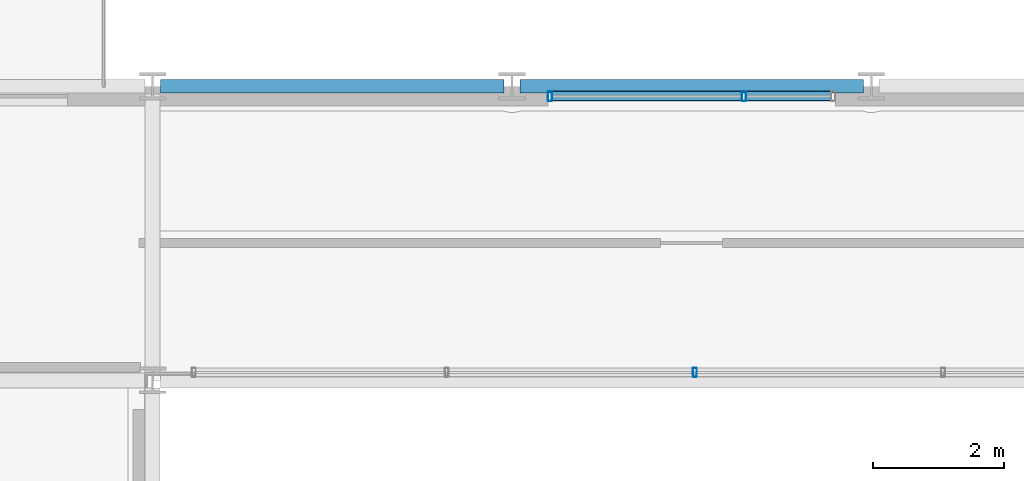
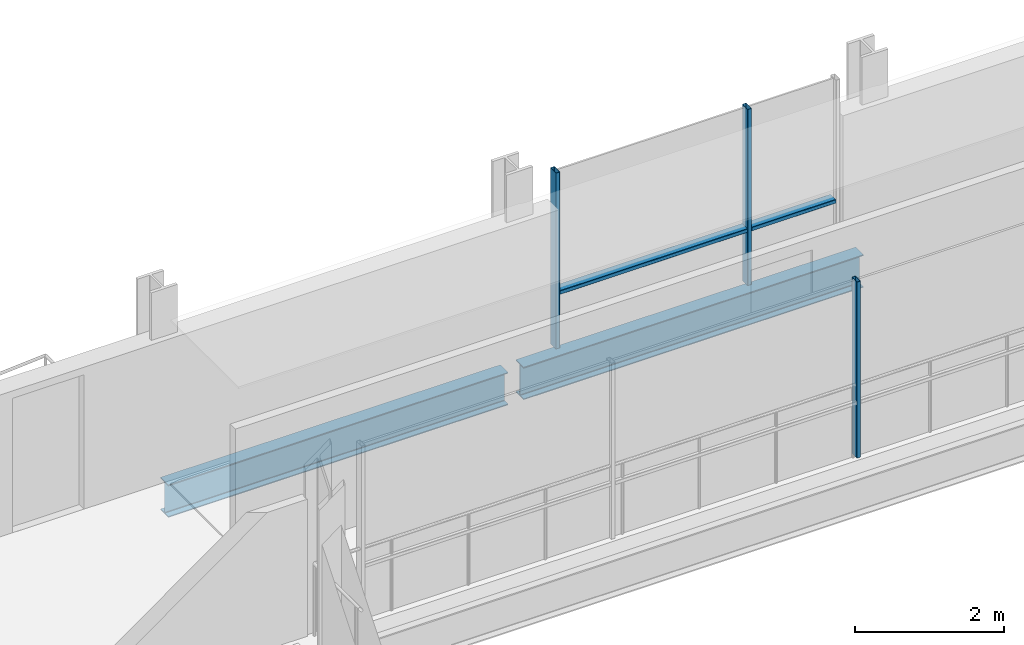
# One storey, part 13 of 38: 5 members, 2 beams, 2 elements without a shape of their own.
"""IFC4 building model written with IfcOpenShell, lengths in metres."""

from ifc_helpers import new_model, si_unit, direction, frame, origin, origin_2d, place, context, subcontext, project, spatial, hollow_rectangle, i_section, extrude, material, layer, layer_set, material_profile, profile_set, type_object, element, aggregate, save


model = new_model("IFC4")

# Units and contexts
model_context = context("Model", 3, precision=1e-05, world=origin(), true_north=direction((0.0, 1.0)))
body_context = subcontext(model_context, "Body", "Model", "MODEL_VIEW")
ifc_project = project(units=[si_unit("LENGTHUNIT", "METRE"), si_unit("AREAUNIT", "SQUARE_METRE"), si_unit("VOLUMEUNIT", "CUBIC_METRE"), si_unit("PLANEANGLEUNIT", "RADIAN"), si_unit("MASSUNIT", "GRAM", prefix="KILO")], contexts=[model_context])

# Site, building, storey
site_placement = place(None, origin())
site = spatial("IfcSite", under=ifc_project, at=site_placement, CompositionType="ELEMENT")
building_placement = place(site_placement, origin())
building = spatial("IfcBuilding", under=site, at=building_placement, Name="Brevholm Reach", CompositionType="ELEMENT")
storey_placement = place(building_placement, frame((0.0, 0.0, 141.800048828125)))
storey = spatial("IfcBuildingStorey", under=building, at=storey_placement, Name="L42", CompositionType="ELEMENT", Elevation=141.800048828125)

# Beams
ifc_material_1 = material(Name="Structural Steel S355J2", Category="steel")
ifc_material_profile_1 = material_profile(ifc_material_1, i_section(OverallWidth=0.209228515625, OverallDepth=0.533203125, WebThickness=0.010009765625, FlangeThickness=0.015625, FilletRadius=0.0126953125, at=origin_2d()), Name="UKB 533x210x92")
ifc_profile_set_1 = profile_set([ifc_material_profile_1], Name="Structural Steel S355J2")
beam_type = type_object("IfcBeamType", Name="BM-SP533", PredefinedType="SPANDREL", material=ifc_profile_set_1)
for number, where, z_axis, x_axis, name in (
    (1, (21.8701171875, 31.0, -0.486572265625), (1.0, 0.0, 0.0), (0.0, 1.0, 0.0), "L42 SP-02 Framing Beam"),
    (2, (27.3701171875, 31.0, -0.486572265625), (1.0, 0.0, 0.0), (0.0, 1.0, 0.0), "L42 SP-02 Framing Beam"),
):
    element("IfcBeam", number, at=place(storey_placement, frame(where, z_axis=z_axis, x_axis=x_axis)), inside=storey, type_object=beam_type, Name=name, PredefinedType="SPANDREL", context=body_context, shape_type="SweptSolid", body=[
        extrude(i_section(OverallWidth=0.209228515625, OverallDepth=0.533203125, WebThickness=0.010009765625, FlangeThickness=0.015625, FilletRadius=0.0126953125, at=origin_2d()), origin(), (0.0, 0.0, 1.0), 5.259765625),
    ])

# Curtain wall, member
ifc_material_2 = material(Name="Dark Anodised Aluminium 6063-T6 and Solar-Control Glass", Category="aluminium")
ifc_layer_1 = layer(ifc_material_2, 0.139892578125)
ifc_layer_set_1 = layer_set([ifc_layer_1], Name="Dark Anodised Aluminium 6063-T6 and Solar-Control Glass")
curtain_wall_type_1 = type_object("IfcCurtainWallType", Name="CW-02", PredefinedType="NOTDEFINED", material=ifc_layer_set_1)
curtain_wall_1_placement = place(storey_placement, origin())
curtain_wall_1 = element("IfcCurtainWall", 3, at=curtain_wall_1_placement, inside=storey, type_object=curtain_wall_type_1, Name="L42 Curtain Wall CW-02", PredefinedType="NOTDEFINED")
ifc_material_3 = material(Name="Dark Anodised Aluminium 6063-T6", Category="aluminium")
ifc_material_profile_2 = material_profile(ifc_material_3, hollow_rectangle(XDim=0.06005859375, YDim=0.139892578125, WallThickness=0.0048828125, InnerFilletRadius=0.0048828125, OuterFilletRadius=0.010009765625, at=origin_2d()), Name="RHS 140x60x5")
ifc_profile_set_2 = profile_set([ifc_material_profile_2], Name="Dark Anodised Aluminium 6063-T6")
member_type_1 = type_object("IfcMemberType", Name="CWM-140", PredefinedType="MULLION", material=ifc_profile_set_2)
member_1_placement = place(storey_placement, frame((30.050048828125, 26.6201171875, 0.0), z_axis=(0.0, 0.0, 1.0), x_axis=(-1.0, 0.0, 0.0)))
member_1 = element("IfcMember", 4, at=member_1_placement, type_object=member_type_1, Name="CM-140 Mullion 3", PredefinedType="MULLION", context=body_context, shape_type="SweptSolid", body=[
    extrude(hollow_rectangle(XDim=0.06005859375, YDim=0.139892578125, WallThickness=0.0048828125, InnerFilletRadius=0.0048828125, OuterFilletRadius=0.010009765625, at=origin_2d()), origin(), (0.0, 0.0, 1.0), 2.8798828125),
])
aggregate(curtain_wall_1, [member_1])

# Curtain wall, members
ifc_material_4 = material(Name="Dark Anodised Aluminium 6063-T6 and Solar-Control Glass", Category="aluminium")
ifc_layer_2 = layer(ifc_material_4, 0.14990234375)
ifc_layer_set_2 = layer_set([ifc_layer_2], Name="Dark Anodised Aluminium 6063-T6 and Solar-Control Glass")
curtain_wall_type_2 = type_object("IfcCurtainWallType", Name="CW-01", PredefinedType="NOTDEFINED", material=ifc_layer_set_2)
curtain_wall_2_placement = place(storey_placement, origin())
curtain_wall_2 = element("IfcCurtainWall", 5, at=curtain_wall_2_placement, inside=storey, type_object=curtain_wall_type_2, Name="L42 Curtain Wall CW-01", PredefinedType="NOTDEFINED")
ifc_material_5 = material(Name="Dark Anodised Aluminium 6063-T6", Category="aluminium")
ifc_material_profile_3 = material_profile(ifc_material_5, hollow_rectangle(XDim=0.06494140625, YDim=0.14990234375, WallThickness=0.0048828125, InnerFilletRadius=0.0048828125, OuterFilletRadius=0.010009765625, at=origin_2d()), Name="RHS 150x65x5")
ifc_profile_set_3 = profile_set([ifc_material_profile_3], Name="Dark Anodised Aluminium 6063-T6")
member_type_2 = type_object("IfcMemberType", Name="CWM-150", PredefinedType="MULLION", material=ifc_profile_set_3)
member_2_placement = place(storey_placement, frame((27.83251953125, 30.85009765625, 0.0), z_axis=(0.0, 0.0, 1.0), x_axis=(1.0, 0.0, 0.0)))
member_2 = element("IfcMember", 6, at=member_2_placement, type_object=member_type_2, Name="CM-150 Mullion 1", PredefinedType="MULLION", context=body_context, shape_type="SweptSolid", body=[
    extrude(hollow_rectangle(XDim=0.06494140625, YDim=0.14990234375, WallThickness=0.0048828125, InnerFilletRadius=0.0048828125, OuterFilletRadius=0.010009765625, at=origin_2d()), origin(), (0.0, 0.0, 1.0), 2.8798828125),
])
member_3_placement = place(storey_placement, frame((30.800048828125, 30.85009765625, 0.0), z_axis=(0.0, 0.0, 1.0), x_axis=(1.0, 0.0, 0.0)))
member_3 = element("IfcMember", 7, at=member_3_placement, type_object=member_type_2, Name="CM-150 Mullion 2", PredefinedType="MULLION", context=body_context, shape_type="SweptSolid", body=[
    extrude(hollow_rectangle(XDim=0.06494140625, YDim=0.14990234375, WallThickness=0.0048828125, InnerFilletRadius=0.0048828125, OuterFilletRadius=0.010009765625, at=origin_2d()), origin(), (0.0, 0.0, 1.0), 2.8798828125),
])
ifc_material_6 = material(Name="Dark Anodised Aluminium 6063-T6", Category="aluminium")
ifc_material_profile_4 = material_profile(ifc_material_6, hollow_rectangle(XDim=0.06494140625, YDim=0.14990234375, WallThickness=0.0048828125, InnerFilletRadius=0.0048828125, OuterFilletRadius=0.010009765625, at=origin_2d()), Name="RHS 150x65x5")
ifc_profile_set_4 = profile_set([ifc_material_profile_4], Name="Dark Anodised Aluminium 6063-T6")
member_type_3 = type_object("IfcMemberType", Name="CWT-150", PredefinedType="NOTDEFINED", material=ifc_profile_set_4)
member_4_placement = place(storey_placement, frame((27.864990234375, 30.85009765625, 0.89990234375), z_axis=(1.0, 0.0, 0.0), x_axis=(0.0, 0.0, 1.0)))
member_4 = element("IfcMember", 8, at=member_4_placement, type_object=member_type_3, Name="CT-150 Transom 1.1", ObjectType="TRANSOM", PredefinedType="USERDEFINED", context=body_context, shape_type="SweptSolid", body=[
    extrude(hollow_rectangle(XDim=0.06494140625, YDim=0.14990234375, WallThickness=0.0048828125, InnerFilletRadius=0.0048828125, OuterFilletRadius=0.010009765625, at=origin_2d()), origin(), (0.0, 0.0, 1.0), 2.902587890625),
])
member_5_placement = place(storey_placement, frame((30.83251953125, 30.85009765625, 0.89990234375), z_axis=(1.0, 0.0, 0.0), x_axis=(0.0, 0.0, 1.0)))
member_5 = element("IfcMember", 9, at=member_5_placement, type_object=member_type_3, Name="CT-150 Transom 2.1", ObjectType="TRANSOM", PredefinedType="USERDEFINED", context=body_context, shape_type="SweptSolid", body=[
    extrude(hollow_rectangle(XDim=0.06494140625, YDim=0.14990234375, WallThickness=0.0048828125, InnerFilletRadius=0.0048828125, OuterFilletRadius=0.010009765625, at=origin_2d()), origin(), (0.0, 0.0, 1.0), 1.302490234375),
])
aggregate(curtain_wall_2, [member_2, member_3, member_4, member_5])

save(model, "model.ifc")
